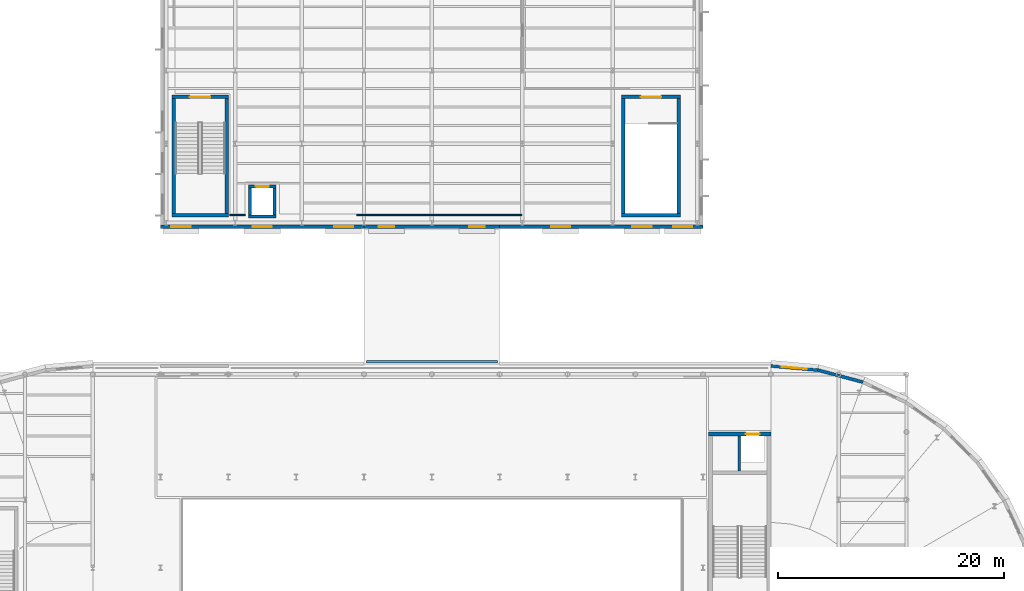
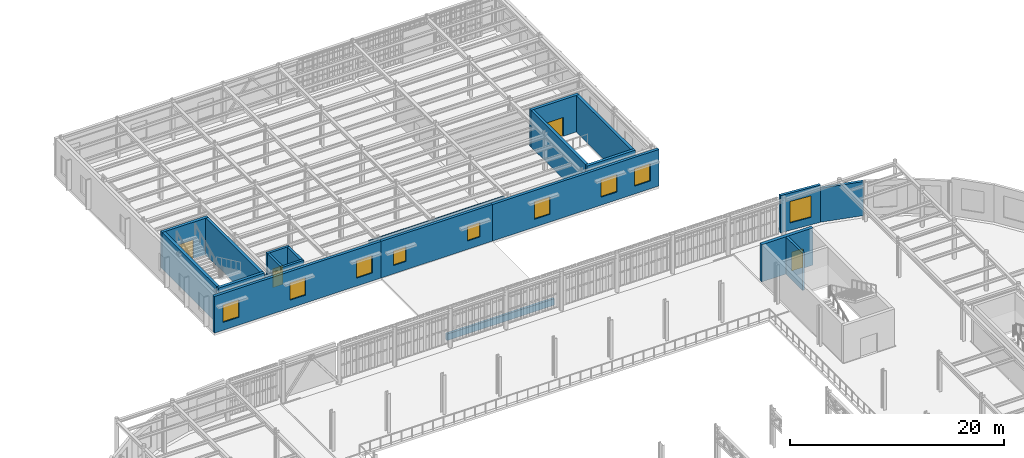
# One storey, part 68 of 91: 22 walls, 9 windows, 4 doors, 13 openings.
"""IFC4 building model written with IfcOpenShell, lengths in metres."""

from ifc_helpers import new_model, si_unit, direction, frame, frame_2d, origin, place, context, subcontext, project, spatial, rectangle, extrude, material, layer, layer_set, type_object, element, fill, save


model = new_model("IFC4")

# Units and contexts
model_context = context("Model", 3, precision=1e-05, world=origin(), true_north=direction((0.0, 1.0)))
body_context = subcontext(model_context, "Body", "Model", "MODEL_VIEW")
ifc_project = project(units=[si_unit("LENGTHUNIT", "METRE"), si_unit("AREAUNIT", "SQUARE_METRE"), si_unit("VOLUMEUNIT", "CUBIC_METRE"), si_unit("PLANEANGLEUNIT", "RADIAN"), si_unit("MASSUNIT", "GRAM", prefix="KILO")], contexts=[model_context])

# Site, building, storey
site_placement = place(None, origin())
site = spatial("IfcSite", under=ifc_project, at=site_placement, CompositionType="ELEMENT")
building_placement = place(site_placement, origin())
building = spatial("IfcBuilding", under=site, at=building_placement, Name="Kolvaren Corner Interchange", CompositionType="ELEMENT")
storey_placement = place(building_placement, frame((0.0, 0.0, 6.0)))
storey = spatial("IfcBuildingStorey", under=building, at=storey_placement, Name="L02", CompositionType="ELEMENT", Elevation=6.0)

# Wall, opening, door
ifc_material_1 = material(Name="Concrete C35/45", Category="concrete")
ifc_layer_1 = layer(ifc_material_1, 0.35009765625)
ifc_layer_set_1 = layer_set([ifc_layer_1], Name="Concrete C35/45")
wall_type_1 = type_object("IfcWallType", Name="WL-CORE-350", PredefinedType="SHEAR", material=ifc_layer_set_1)
wall_1_placement = place(storey_placement, frame((114.5, 65.824951171875, 0.0), z_axis=(0.0, 0.0, 1.0), x_axis=(1.0, 0.0, 0.0)))
wall_1 = element("IfcWall", 1, at=wall_1_placement, inside=storey, type_object=wall_type_1, Name="Core C4 L02 North Shear Wall", PredefinedType="SHEAR", context=body_context, shape_type="SweptSolid", body=[
    extrude(rectangle(XDim=5.5, YDim=0.35009765625, at=frame_2d((2.75, 0.0))), origin(), (0.0, 0.0, 1.0), 4.25),
])
opening_1_placement = place(wall_1_placement, frame((3.2900390625, 0.0, 0.0)))
opening_1 = element("IfcOpeningElement", 2, at=opening_1_placement, cuts=wall_1, Name="Opening LD-LF-P2-L02", PredefinedType="OPENING", context=body_context, shape_type="SweptSolid", body=[
    extrude(rectangle(XDim=1.219970703125, YDim=2.14990234375, at=frame_2d((0.60986328125, 1.074951171875))), frame((0.0, 0.18505859375, 0.0), z_axis=(0.0, -1.0, 0.0), x_axis=(1.0, 0.0, 0.0)), (0.0, 0.0, 1.0), 0.3701171875),
])
ifc_material_2 = material(Name="Brushed Stainless Steel Landing Door", Category="steel")
door_type_1 = type_object("IfcDoorType", Name="DT-LIFT-1220", OperationType="NOTDEFINED", PredefinedType="DOOR", material=ifc_material_2)
door_1_placement = place(opening_1_placement, origin())
door_1 = element("IfcDoor", 3, at=door_1_placement, inside=storey, type_object=door_type_1, Name="Passenger Lift LF P2 L02 Sliding Landing Door", OperationType="DOUBLE_DOOR_SLIDING", OverallHeight=2.14990234375, OverallWidth=1.219970703125, PredefinedType="DOOR", context=body_context, shape_type="SweptSolid", body=[
    extrude(rectangle(XDim=1.219970703125, YDim=2.14990234375, at=frame_2d((0.60986328125, 1.074951171875))), frame((0.0, 0.02490234375, 0.0), z_axis=(0.0, -1.0, 0.0), x_axis=(1.0, 0.0, 0.0)), (0.0, 0.0, 1.0), 0.050048828125),
])
fill(opening_1, door_1)

# Wall
ifc_material_3 = material(Name="Concrete C35/45", Category="concrete")
ifc_layer_2 = layer(ifc_material_3, 0.31005859375)
ifc_layer_set_2 = layer_set([ifc_layer_2], Name="Concrete C35/45")
wall_type_2 = type_object("IfcWallType", Name="WL-STAIR-300", PredefinedType="SHEAR", material=ifc_layer_set_2)
wall_2_placement = place(storey_placement, frame((67.0, 85.155029296875, 0.0), z_axis=(0.0, 0.0, 1.0), x_axis=(1.0, 0.0, 0.0)))
element("IfcWall", 4, at=wall_2_placement, inside=storey, type_object=wall_type_2, Name="Cycle Hub West Pavilion Exit Stair L02 South Enclosure Wall", PredefinedType="SHEAR", context=body_context, shape_type="SweptSolid", body=[
    extrude(rectangle(XDim=5.0, YDim=0.31005859375, at=frame_2d((2.5, 0.0))), origin(), (0.0, 0.0, 1.0), 4.179931640625),
])

# Wall, opening, door
wall_3_placement = place(storey_placement, frame((67.0, 95.64501953125, 0.0), z_axis=(0.0, 0.0, 1.0), x_axis=(1.0, 0.0, 0.0)))
wall_3 = element("IfcWall", 5, at=wall_3_placement, inside=storey, type_object=wall_type_2, Name="Cycle Hub West Pavilion Exit Stair L02 North Enclosure Wall", PredefinedType="SHEAR", context=body_context, shape_type="SweptSolid", body=[
    extrude(rectangle(XDim=5.0, YDim=0.31005859375, at=frame_2d((2.5, 0.0))), origin(), (0.0, 0.0, 1.0), 4.179931640625),
])
opening_2_placement = place(wall_3_placement, frame((1.60009765625, 0.0, 0.0)))
opening_2 = element("IfcOpeningElement", 6, at=opening_2_placement, cuts=wall_3, Name="Opening D-F01", PredefinedType="OPENING", context=body_context, shape_type="SweptSolid", body=[
    extrude(rectangle(XDim=1.800048828125, YDim=2.14990234375, at=frame_2d((0.89990234375, 1.074951171875))), frame((0.0, 0.1650390625, 0.0), z_axis=(0.0, -1.0, 0.0), x_axis=(1.0, 0.0, 0.0)), (0.0, 0.0, 1.0), 0.330078125),
])
ifc_material_4 = material(Name="Powder-coated Fire-rated Steel Sheet", Category="steel")
door_type_2 = type_object("IfcDoorType", Name="DT-FD-1800x2150", OperationType="NOTDEFINED", PredefinedType="DOOR", material=ifc_material_4)
door_2_placement = place(opening_2_placement, origin())
door_2 = element("IfcDoor", 7, at=door_2_placement, inside=storey, type_object=door_type_2, Name="Cycle Hub West Pavilion Exit Stair L02 Protected Exit Door", OperationType="DOUBLE_DOOR_SINGLE_SWING", OverallHeight=2.14990234375, OverallWidth=1.800048828125, PredefinedType="DOOR", context=body_context, shape_type="SweptSolid", body=[
    extrude(rectangle(XDim=1.800048828125, YDim=2.14990234375, at=frame_2d((0.89990234375, 1.074951171875))), frame((0.0, 0.02490234375, 0.0), z_axis=(0.0, -1.0, 0.0), x_axis=(1.0, 0.0, 0.0)), (0.0, 0.0, 1.0), 0.050048828125),
])
fill(opening_2, door_2)

# Walls
for number, where, z_axis, x_axis, name in (
    (8, (67.155029296875, 85.31005859375, 0.0), (0.0, 0.0, 1.0), (0.0, 1.0, 0.0), "Cycle Hub West Pavilion Exit Stair L02 West Enclosure Wall"),
    (9, (71.844970703125, 85.31005859375, 0.0), (0.0, 0.0, 1.0), (0.0, 1.0, 0.0), "Cycle Hub West Pavilion Exit Stair L02 East Enclosure Wall"),
):
    element("IfcWall", number, at=place(storey_placement, frame(where, z_axis=z_axis, x_axis=x_axis)), inside=storey, type_object=wall_type_2, Name=name, PredefinedType="SHEAR", context=body_context, shape_type="SweptSolid", body=[
        extrude(rectangle(XDim=10.179931640625, YDim=0.31005859375, at=frame_2d((5.08984375, 0.0))), origin(), (0.0, 0.0, 1.0), 4.179931640625),
    ])
wall_4_placement = place(storey_placement, frame((106.800048828125, 85.155029296875, 0.0), z_axis=(0.0, 0.0, 1.0), x_axis=(1.0, 0.0, 0.0)))
element("IfcWall", 10, at=wall_4_placement, inside=storey, type_object=wall_type_2, Name="Cycle Hub East Mezzanine Exit Stair L02 South Enclosure Wall", PredefinedType="SHEAR", context=body_context, shape_type="SweptSolid", body=[
    extrude(rectangle(XDim=5.199951171875, YDim=0.31005859375, at=frame_2d((2.60009765625, 0.0))), origin(), (0.0, 0.0, 1.0), 4.179931640625),
])

# Wall, opening, door
wall_5_placement = place(storey_placement, frame((106.800048828125, 95.64501953125, 0.0), z_axis=(0.0, 0.0, 1.0), x_axis=(1.0, 0.0, 0.0)))
wall_5 = element("IfcWall", 11, at=wall_5_placement, inside=storey, type_object=wall_type_2, Name="Cycle Hub East Mezzanine Exit Stair L02 North Enclosure Wall", PredefinedType="SHEAR", context=body_context, shape_type="SweptSolid", body=[
    extrude(rectangle(XDim=5.199951171875, YDim=0.31005859375, at=frame_2d((2.60009765625, 0.0))), origin(), (0.0, 0.0, 1.0), 4.179931640625),
])
opening_3_placement = place(wall_5_placement, frame((1.699951171875, 0.0, 0.0)))
opening_3 = element("IfcOpeningElement", 12, at=opening_3_placement, cuts=wall_5, Name="Opening D-F01", PredefinedType="OPENING", context=body_context, shape_type="SweptSolid", body=[
    extrude(rectangle(XDim=1.800048828125, YDim=2.14990234375, at=frame_2d((0.89990234375, 1.074951171875))), frame((0.0, 0.1650390625, 0.0), z_axis=(0.0, -1.0, 0.0), x_axis=(1.0, 0.0, 0.0)), (0.0, 0.0, 1.0), 0.330078125),
])
door_3_placement = place(opening_3_placement, origin())
door_3 = element("IfcDoor", 13, at=door_3_placement, inside=storey, type_object=door_type_2, Name="Cycle Hub East Mezzanine Exit Stair L02 Protected Exit Door", OperationType="DOUBLE_DOOR_SINGLE_SWING", OverallHeight=2.14990234375, OverallWidth=1.800048828125, PredefinedType="DOOR", context=body_context, shape_type="SweptSolid", body=[
    extrude(rectangle(XDim=1.800048828125, YDim=2.14990234375, at=frame_2d((0.89990234375, 1.074951171875))), frame((0.0, 0.02490234375, 0.0), z_axis=(0.0, -1.0, 0.0), x_axis=(1.0, 0.0, 0.0)), (0.0, 0.0, 1.0), 0.050048828125),
])
fill(opening_3, door_3)

# Walls
for number, where, z_axis, x_axis, name in (
    (14, (106.955078125, 85.31005859375, 0.0), (0.0, 0.0, 1.0), (0.0, 1.0, 0.0), "Cycle Hub East Mezzanine Exit Stair L02 West Enclosure Wall"),
    (15, (111.844970703125, 85.31005859375, 0.0), (0.0, 0.0, 1.0), (0.0, 1.0, 0.0), "Cycle Hub East Mezzanine Exit Stair L02 East Enclosure Wall"),
):
    element("IfcWall", number, at=place(storey_placement, frame(where, z_axis=z_axis, x_axis=x_axis)), inside=storey, type_object=wall_type_2, Name=name, PredefinedType="SHEAR", context=body_context, shape_type="SweptSolid", body=[
        extrude(rectangle(XDim=10.179931640625, YDim=0.31005859375, at=frame_2d((5.08984375, 0.0))), origin(), (0.0, 0.0, 1.0), 4.179931640625),
    ])

# Wall, openings, windows
ifc_material_5 = material(Name="Ochre Architectural Terracotta Rainscreen Assembly", Category="masonry")
ifc_layer_3 = layer(ifc_material_5, 0.300048828125)
ifc_layer_set_3 = layer_set([ifc_layer_3], Name="Ochre Architectural Terracotta Rainscreen Assembly")
wall_type_3 = type_object("IfcWallType", Name="WT-EXT-OCH300", PredefinedType="SOLIDWALL", material=ifc_layer_set_3)
wall_6_placement = place(storey_placement, frame((66.0, 84.159912109375, 0.0), z_axis=(0.0, 0.0, 1.0), x_axis=(1.0, 0.0, 0.0)))
wall_6 = element("IfcWall", 16, at=wall_6_placement, inside=storey, type_object=wall_type_3, Name="Cycle Hub South West Facade Wall 0175", PredefinedType="SOLIDWALL", context=body_context, shape_type="SweptSolid", body=[
    extrude(rectangle(XDim=18.0, YDim=0.300048828125, at=frame_2d((9.0, 0.0))), origin(), (0.0, 0.0, 1.0), 4.179931640625),
])
opening_4_placement = place(wall_6_placement, frame((0.949951171875, 0.0, 0.89990234375)))
opening_4 = element("IfcOpeningElement", 17, at=opening_4_placement, cuts=wall_6, Name="Opening W-16", PredefinedType="OPENING", context=body_context, shape_type="SweptSolid", body=[
    extrude(rectangle(XDim=1.699951171875, YDim=2.0, at=frame_2d((0.85009765625, 1.0))), frame((0.0, 0.159912109375, 0.0), z_axis=(0.0, -1.0, 0.0), x_axis=(1.0, 0.0, 0.0)), (0.0, 0.0, 1.0), 0.320068359375),
])
opening_5_placement = place(wall_6_placement, frame((8.14990234375, 0.0, 0.89990234375)))
opening_5 = element("IfcOpeningElement", 18, at=opening_5_placement, cuts=wall_6, Name="Opening W-16", PredefinedType="OPENING", context=body_context, shape_type="SweptSolid", body=[
    extrude(rectangle(XDim=1.699951171875, YDim=2.0, at=frame_2d((0.85009765625, 1.0))), frame((0.0, 0.159912109375, 0.0), z_axis=(0.0, -1.0, 0.0), x_axis=(1.0, 0.0, 0.0)), (0.0, 0.0, 1.0), 0.320068359375),
])
opening_6_placement = place(wall_6_placement, frame((15.35009765625, 0.0, 0.89990234375)))
opening_6 = element("IfcOpeningElement", 19, at=opening_6_placement, cuts=wall_6, Name="Opening W-16", PredefinedType="OPENING", context=body_context, shape_type="SweptSolid", body=[
    extrude(rectangle(XDim=1.699951171875, YDim=2.0, at=frame_2d((0.85009765625, 1.0))), frame((0.0, 0.159912109375, 0.0), z_axis=(0.0, -1.0, 0.0), x_axis=(1.0, 0.0, 0.0)), (0.0, 0.0, 1.0), 0.320068359375),
])
ifc_material_6 = material(Name="Thermally Broken Aluminium and Solar-Control Double Glazing", Category="aluminium")
window_type_1 = type_object("IfcWindowType", Name="WT-CYC-1700x2000", PartitioningType="DOUBLE_PANEL_HORIZONTAL", PredefinedType="WINDOW", material=ifc_material_6)
window_1_placement = place(opening_4_placement, origin())
window_1 = element("IfcWindow", 20, at=window_1_placement, inside=storey, type_object=window_type_1, Name="L02 Cycle Hub South West Facade Window 0265", OverallHeight=2.0, OverallWidth=1.699951171875, PartitioningType="SINGLE_PANEL", PredefinedType="WINDOW", context=body_context, shape_type="SweptSolid", body=[
    extrude(rectangle(XDim=1.699951171875, YDim=2.0, at=frame_2d((0.85009765625, 1.0))), frame((0.0, 0.030029296875, 0.0), z_axis=(0.0, -1.0, 0.0), x_axis=(1.0, 0.0, 0.0)), (0.0, 0.0, 1.0), 0.06005859375),
])
fill(opening_4, window_1)
window_2_placement = place(opening_5_placement, origin())
window_2 = element("IfcWindow", 21, at=window_2_placement, inside=storey, type_object=window_type_1, Name="L02 Cycle Hub South West Facade Window 0266", OverallHeight=2.0, OverallWidth=1.699951171875, PartitioningType="SINGLE_PANEL", PredefinedType="WINDOW", context=body_context, shape_type="SweptSolid", body=[
    extrude(rectangle(XDim=1.699951171875, YDim=2.0, at=frame_2d((0.85009765625, 1.0))), frame((0.0, 0.030029296875, 0.0), z_axis=(0.0, -1.0, 0.0), x_axis=(1.0, 0.0, 0.0)), (0.0, 0.0, 1.0), 0.06005859375),
])
fill(opening_5, window_2)
window_3_placement = place(opening_6_placement, origin())
window_3 = element("IfcWindow", 22, at=window_3_placement, inside=storey, type_object=window_type_1, Name="L02 Cycle Hub South West Facade Window 0267", OverallHeight=2.0, OverallWidth=1.699951171875, PartitioningType="SINGLE_PANEL", PredefinedType="WINDOW", context=body_context, shape_type="SweptSolid", body=[
    extrude(rectangle(XDim=1.699951171875, YDim=2.0, at=frame_2d((0.85009765625, 1.0))), frame((0.0, 0.030029296875, 0.0), z_axis=(0.0, -1.0, 0.0), x_axis=(1.0, 0.0, 0.0)), (0.0, 0.0, 1.0), 0.06005859375),
])
fill(opening_6, window_3)

wall_7_placement = place(storey_placement, frame((96.0, 84.159912109375, 0.0), z_axis=(0.0, 0.0, 1.0), x_axis=(1.0, 0.0, 0.0)))
wall_7 = element("IfcWall", 23, at=wall_7_placement, inside=storey, type_object=wall_type_3, Name="Cycle Hub South East Facade Wall 0176", PredefinedType="SOLIDWALL", context=body_context, shape_type="SweptSolid", body=[
    extrude(rectangle(XDim=18.0, YDim=0.300048828125, at=frame_2d((9.0, 0.0))), origin(), (0.0, 0.0, 1.0), 4.179931640625),
])
opening_7_placement = place(wall_7_placement, frame((4.550048828125, 0.0, 0.89990234375)))
opening_7 = element("IfcOpeningElement", 24, at=opening_7_placement, cuts=wall_7, Name="Opening W-16", PredefinedType="OPENING", context=body_context, shape_type="SweptSolid", body=[
    extrude(rectangle(XDim=1.699951171875, YDim=2.0, at=frame_2d((0.85009765625, 1.0))), frame((0.0, 0.159912109375, 0.0), z_axis=(0.0, -1.0, 0.0), x_axis=(1.0, 0.0, 0.0)), (0.0, 0.0, 1.0), 0.320068359375),
])
opening_8_placement = place(wall_7_placement, frame((11.75, 0.0, 0.89990234375)))
opening_8 = element("IfcOpeningElement", 25, at=opening_8_placement, cuts=wall_7, Name="Opening W-16", PredefinedType="OPENING", context=body_context, shape_type="SweptSolid", body=[
    extrude(rectangle(XDim=1.699951171875, YDim=2.0, at=frame_2d((0.85009765625, 1.0))), frame((0.0, 0.159912109375, 0.0), z_axis=(0.0, -1.0, 0.0), x_axis=(1.0, 0.0, 0.0)), (0.0, 0.0, 1.0), 0.320068359375),
])
opening_9_placement = place(wall_7_placement, frame((15.35009765625, 0.0, 0.89990234375)))
opening_9 = element("IfcOpeningElement", 26, at=opening_9_placement, cuts=wall_7, Name="Opening W-16", PredefinedType="OPENING", context=body_context, shape_type="SweptSolid", body=[
    extrude(rectangle(XDim=1.699951171875, YDim=2.0, at=frame_2d((0.85009765625, 1.0))), frame((0.0, 0.159912109375, 0.0), z_axis=(0.0, -1.0, 0.0), x_axis=(1.0, 0.0, 0.0)), (0.0, 0.0, 1.0), 0.320068359375),
])
window_4_placement = place(opening_7_placement, origin())
window_4 = element("IfcWindow", 27, at=window_4_placement, inside=storey, type_object=window_type_1, Name="L02 Cycle Hub South East Facade Window 0268", OverallHeight=2.0, OverallWidth=1.699951171875, PartitioningType="SINGLE_PANEL", PredefinedType="WINDOW", context=body_context, shape_type="SweptSolid", body=[
    extrude(rectangle(XDim=1.699951171875, YDim=2.0, at=frame_2d((0.85009765625, 1.0))), frame((0.0, 0.030029296875, 0.0), z_axis=(0.0, -1.0, 0.0), x_axis=(1.0, 0.0, 0.0)), (0.0, 0.0, 1.0), 0.06005859375),
])
fill(opening_7, window_4)
window_5_placement = place(opening_8_placement, origin())
window_5 = element("IfcWindow", 28, at=window_5_placement, inside=storey, type_object=window_type_1, Name="L02 Cycle Hub South East Facade Window 0269", OverallHeight=2.0, OverallWidth=1.699951171875, PartitioningType="SINGLE_PANEL", PredefinedType="WINDOW", context=body_context, shape_type="SweptSolid", body=[
    extrude(rectangle(XDim=1.699951171875, YDim=2.0, at=frame_2d((0.85009765625, 1.0))), frame((0.0, 0.030029296875, 0.0), z_axis=(0.0, -1.0, 0.0), x_axis=(1.0, 0.0, 0.0)), (0.0, 0.0, 1.0), 0.06005859375),
])
fill(opening_8, window_5)
window_6_placement = place(opening_9_placement, origin())
window_6 = element("IfcWindow", 29, at=window_6_placement, inside=storey, type_object=window_type_1, Name="L02 Cycle Hub South East Facade Window 0270", OverallHeight=2.0, OverallWidth=1.699951171875, PartitioningType="SINGLE_PANEL", PredefinedType="WINDOW", context=body_context, shape_type="SweptSolid", body=[
    extrude(rectangle(XDim=1.699951171875, YDim=2.0, at=frame_2d((0.85009765625, 1.0))), frame((0.0, 0.030029296875, 0.0), z_axis=(0.0, -1.0, 0.0), x_axis=(1.0, 0.0, 0.0)), (0.0, 0.0, 1.0), 0.06005859375),
])
fill(opening_9, window_6)

wall_8_placement = place(storey_placement, frame((84.0, 84.159912109375, 0.0), z_axis=(0.0, 0.0, 1.0), x_axis=(1.0, 0.0, 0.0)))
wall_8 = element("IfcWall", 30, at=wall_8_placement, inside=storey, type_object=wall_type_3, Name="Cycle Mezzanine South Overlook Wall 0177", PredefinedType="SOLIDWALL", context=body_context, shape_type="SweptSolid", body=[
    extrude(rectangle(XDim=12.0, YDim=0.300048828125, at=frame_2d((6.0, 0.0))), origin(), (0.0, 0.0, 1.0), 4.179931640625),
])
opening_10_placement = place(wall_8_placement, frame((1.324951171875, 0.0, 0.949951171875)))
opening_10 = element("IfcOpeningElement", 31, at=opening_10_placement, cuts=wall_8, Name="Opening W-22", PredefinedType="OPENING", context=body_context, shape_type="SweptSolid", body=[
    extrude(rectangle(XDim=1.35009765625, YDim=1.64990234375, at=frame_2d((0.675048828125, 0.824951171875))), frame((0.0, 0.159912109375, 0.0), z_axis=(0.0, -1.0, 0.0), x_axis=(1.0, 0.0, 0.0)), (0.0, 0.0, 1.0), 0.320068359375),
])
opening_11_placement = place(wall_8_placement, frame((9.324951171875, 0.0, 0.949951171875)))
opening_11 = element("IfcOpeningElement", 32, at=opening_11_placement, cuts=wall_8, Name="Opening W-22", PredefinedType="OPENING", context=body_context, shape_type="SweptSolid", body=[
    extrude(rectangle(XDim=1.35009765625, YDim=1.64990234375, at=frame_2d((0.675048828125, 0.824951171875))), frame((0.0, 0.159912109375, 0.0), z_axis=(0.0, -1.0, 0.0), x_axis=(1.0, 0.0, 0.0)), (0.0, 0.0, 1.0), 0.320068359375),
])
ifc_material_7 = material(Name="Thermally Broken Aluminium and Solar-Control Double Glazing", Category="aluminium")
window_type_2 = type_object("IfcWindowType", Name="WT-CYC-1350x1650", PartitioningType="SINGLE_PANEL", PredefinedType="WINDOW", material=ifc_material_7)
window_7_placement = place(opening_10_placement, origin())
window_7 = element("IfcWindow", 33, at=window_7_placement, inside=storey, type_object=window_type_2, Name="L02 Cycle Mezzanine South Overlook Window 0271", OverallHeight=1.64990234375, OverallWidth=1.35009765625, PartitioningType="SINGLE_PANEL", PredefinedType="WINDOW", context=body_context, shape_type="SweptSolid", body=[
    extrude(rectangle(XDim=1.35009765625, YDim=1.64990234375, at=frame_2d((0.675048828125, 0.824951171875))), frame((0.0, 0.030029296875, 0.0), z_axis=(0.0, -1.0, 0.0), x_axis=(1.0, 0.0, 0.0)), (0.0, 0.0, 1.0), 0.06005859375),
])
fill(opening_10, window_7)
window_8_placement = place(opening_11_placement, origin())
window_8 = element("IfcWindow", 34, at=window_8_placement, inside=storey, type_object=window_type_2, Name="L02 Cycle Mezzanine South Overlook Window 0272", OverallHeight=1.64990234375, OverallWidth=1.35009765625, PartitioningType="SINGLE_PANEL", PredefinedType="WINDOW", context=body_context, shape_type="SweptSolid", body=[
    extrude(rectangle(XDim=1.35009765625, YDim=1.64990234375, at=frame_2d((0.675048828125, 0.824951171875))), frame((0.0, 0.030029296875, 0.0), z_axis=(0.0, -1.0, 0.0), x_axis=(1.0, 0.0, 0.0)), (0.0, 0.0, 1.0), 0.06005859375),
])
fill(opening_11, window_8)

# Wall
ifc_material_8 = material(Name="White Glazed Ceramic Terracotta Band Assembly", Category="masonry")
ifc_layer_4 = layer(ifc_material_8, 0.280029296875)
ifc_layer_set_4 = layer_set([ifc_layer_4], Name="White Glazed Ceramic Terracotta Band Assembly")
wall_type_4 = type_object("IfcWallType", Name="WT-EXT-WHT280", PredefinedType="SOLIDWALL", material=ifc_layer_set_4)
wall_9_placement = place(storey_placement, frame((128.15380859375, 70.40234375, 0.0), z_axis=(0.0, 0.0, 1.0), x_axis=(-0.965931006096, 0.258799713026, 0.0)))
element("IfcWall", 35, at=wall_9_placement, inside=storey, type_object=wall_type_4, Name="Racetrack East Curved Drum Chord 17 Wall 0129", PredefinedType="SOLIDWALL", context=body_context, shape_type="SweptSolid", body=[
    extrude(rectangle(XDim=4.155517578125, YDim=0.280029296875, at=frame_2d((2.07763671875, 0.0))), origin(), (0.0, 0.0, 1.0), 3.885009765625),
])

# Wall, opening, window
wall_10_placement = place(storey_placement, frame((124.139892578125, 71.477783203125, 0.0), z_axis=(0.0, 0.0, 1.0), x_axis=(-0.99619237826, 0.087182254487, 0.0)))
wall_10 = element("IfcWall", 36, at=wall_10_placement, inside=storey, type_object=wall_type_4, Name="Racetrack East Curved Drum Chord 18 Wall 0130", PredefinedType="SOLIDWALL", context=body_context, shape_type="SweptSolid", body=[
    extrude(rectangle(XDim=4.15576171875, YDim=0.280029296875, at=frame_2d((2.077880859375, 0.0))), origin(), (0.0, 0.0, 1.0), 4.25),
])
opening_12_placement = place(wall_10_placement, frame((0.977783203125, 0.0, 0.85009765625)))
opening_12 = element("IfcOpeningElement", 37, at=opening_12_placement, cuts=wall_10, Name="Opening W-04", PredefinedType="OPENING", context=body_context, shape_type="SweptSolid", body=[
    extrude(rectangle(XDim=2.199951171875, YDim=2.449951171875, at=frame_2d((1.10009765625, 1.22509765625))), frame((0.0, 0.14990234375, 0.0), z_axis=(0.0, -1.0, 0.0), x_axis=(1.0, 0.0, 0.0)), (0.0, 0.0, 1.0), 0.300048828125),
])
ifc_material_9 = material(Name="Thermally Broken Aluminium and Solar-Control Double Glazing", Category="aluminium")
window_type_3 = type_object("IfcWindowType", Name="WT-ARC-2200x2450", PartitioningType="DOUBLE_PANEL_VERTICAL", PredefinedType="WINDOW", material=ifc_material_9)
window_9_placement = place(opening_12_placement, origin())
window_9 = element("IfcWindow", 38, at=window_9_placement, inside=storey, type_object=window_type_3, Name="L02 Racetrack East Curved Drum Chord 18 Window 0195", OverallHeight=2.449951171875, OverallWidth=2.199951171875, PartitioningType="SINGLE_PANEL", PredefinedType="WINDOW", context=body_context, shape_type="SweptSolid", body=[
    extrude(rectangle(XDim=2.199951171875, YDim=2.449951171875, at=frame_2d((1.10009765625, 1.22509765625))), frame((0.0, 0.030029296875, 0.0), z_axis=(0.0, -1.0, 0.0), x_axis=(1.0, 0.0, 0.0)), (0.0, 0.0, 1.0), 0.06005859375),
])
fill(opening_12, window_9)

# Walls
ifc_material_10 = material(Name="Cream Architectural Terracotta Parapet Wall", Category="masonry")
ifc_layer_5 = layer(ifc_material_10, 0.239990234375)
ifc_layer_set_5 = layer_set([ifc_layer_5], Name="Cream Architectural Terracotta Parapet Wall")
wall_type_5 = type_object("IfcWallType", Name="WT-PAR-240", PredefinedType="PARAPET", material=ifc_layer_set_5)
wall_11_placement = place(storey_placement, frame((84.199951171875, 72.199951171875, 0.0), z_axis=(0.0, 0.0, 1.0), x_axis=(1.0, 0.0, 0.0)))
element("IfcWall", 39, at=wall_11_placement, inside=storey, type_object=wall_type_5, Name="Cycle Link Roof Parapet Wall 0185", PredefinedType="PARAPET", context=body_context, shape_type="SweptSolid", body=[
    extrude(rectangle(XDim=11.60009765625, YDim=0.239990234375, at=frame_2d((5.800048828125, 0.0))), origin(), (0.0, 0.0, 1.0), 0.75),
])
ifc_material_11 = material(Name="Standard Metal-Stud Drywall Partition")
ifc_layer_6 = layer(ifc_material_11, 0.1201171875)
ifc_layer_set_6 = layer_set([ifc_layer_6], Name="Standard Metal-Stud Drywall Partition")
wall_type_6 = type_object("IfcWallType", Name="WT-PART-ST125", PredefinedType="PARTITIONING", material=ifc_layer_set_6)
wall_12_placement = place(storey_placement, frame((72.10009765625, 85.199951171875, 0.0), z_axis=(0.0, 0.0, 1.0), x_axis=(1.0, 0.0, 0.0)))
element("IfcWall", 40, at=wall_12_placement, inside=storey, type_object=wall_type_6, Name="L02 Upper Cycle Storage Mezzanine Partition Wall 086", PredefinedType="PARTITIONING", context=body_context, shape_type="SweptSolid", body=[
    extrude(rectangle(XDim=1.39990234375, YDim=0.1201171875, at=frame_2d((0.699951171875, 0.0))), origin(), (0.0, 0.0, 1.0), 3.77490234375),
])
wall_13_placement = place(storey_placement, frame((83.35009765625, 85.199951171875, 0.0), z_axis=(0.0, 0.0, 1.0), x_axis=(1.0, 0.0, 0.0)))
element("IfcWall", 41, at=wall_13_placement, inside=storey, type_object=wall_type_6, Name="L02 Upper Cycle Storage Mezzanine Partition Wall 087", PredefinedType="PARTITIONING", context=body_context, shape_type="SweptSolid", body=[
    extrude(rectangle(XDim=14.599853515625, YDim=0.1201171875, at=frame_2d((7.2998046875, 0.0))), origin(), (0.0, 0.0, 1.0), 3.77490234375),
])
ifc_material_12 = material(Name="Concrete C35/45", Category="concrete")
ifc_layer_7 = layer(ifc_material_12, 0.25)
ifc_layer_set_7 = layer_set([ifc_layer_7], Name="Concrete C35/45")
wall_type_7 = type_object("IfcWallType", Name="WT-SHAFT-RC250", PredefinedType="SHEAR", material=ifc_layer_set_7)
wall_14_placement = place(storey_placement, frame((117.199951171875, 62.554931640625, 0.0), z_axis=(0.0, 0.0, 1.0), x_axis=(0.0, 1.0, 0.0)))
element("IfcWall", 42, at=wall_14_placement, inside=storey, type_object=wall_type_7, Name="Core L02 C4 Passenger Lift Side Wall", PredefinedType="SHEAR", context=body_context, shape_type="SweptSolid", body=[
    extrude(rectangle(XDim=3.094970703125, YDim=0.25, at=frame_2d((1.54736328125, 0.0))), origin(), (0.0, 0.0, 1.0), 4.25),
])
wall_15_placement = place(storey_placement, frame((73.800048828125, 85.074951171875, 0.0), z_axis=(0.0, 0.0, 1.0), x_axis=(1.0, 0.0, 0.0)))
element("IfcWall", 43, at=wall_15_placement, inside=storey, type_object=wall_type_7, Name="Cycle Lift L02 South Shaft Wall", PredefinedType="SHEAR", context=body_context, shape_type="SweptSolid", body=[
    extrude(rectangle(XDim=2.39990234375, YDim=0.25, at=frame_2d((1.199951171875, 0.0))), origin(), (0.0, 0.0, 1.0), 4.179931640625),
])

# Wall, opening, door
wall_16_placement = place(storey_placement, frame((73.800048828125, 87.72509765625, 0.0), z_axis=(0.0, 0.0, 1.0), x_axis=(1.0, 0.0, 0.0)))
wall_16 = element("IfcWall", 44, at=wall_16_placement, inside=storey, type_object=wall_type_7, Name="Cycle Lift L02 North Shaft Wall", PredefinedType="SHEAR", context=body_context, shape_type="SweptSolid", body=[
    extrude(rectangle(XDim=2.39990234375, YDim=0.25, at=frame_2d((1.199951171875, 0.0))), origin(), (0.0, 0.0, 1.0), 4.179931640625),
])
opening_13_placement = place(wall_16_placement, frame((0.639892578125, 0.0, 0.0)))
opening_13 = element("IfcOpeningElement", 45, at=opening_13_placement, cuts=wall_16, Name="Opening LD-LF-P4-L02", PredefinedType="OPENING", context=body_context, shape_type="SweptSolid", body=[
    extrude(rectangle(XDim=1.1201171875, YDim=2.14990234375, at=frame_2d((0.56005859375, 1.074951171875))), frame((0.0, 0.135009765625, 0.0), z_axis=(0.0, -1.0, 0.0), x_axis=(1.0, 0.0, 0.0)), (0.0, 0.0, 1.0), 0.27001953125),
])
ifc_material_13 = material(Name="Brushed Stainless Steel Landing Door", Category="steel")
door_type_3 = type_object("IfcDoorType", Name="DT-LIFT-1120", OperationType="NOTDEFINED", PredefinedType="DOOR", material=ifc_material_13)
door_4_placement = place(opening_13_placement, origin())
door_4 = element("IfcDoor", 46, at=door_4_placement, inside=storey, type_object=door_type_3, Name="Cycle Hub Lift LF P4 L02 Sliding Landing Door", OperationType="SLIDING_TO_LEFT", OverallHeight=2.14990234375, OverallWidth=1.1201171875, PredefinedType="DOOR", context=body_context, shape_type="SweptSolid", body=[
    extrude(rectangle(XDim=1.1201171875, YDim=2.14990234375, at=frame_2d((0.56005859375, 1.074951171875))), frame((0.0, 0.02490234375, 0.0), z_axis=(0.0, -1.0, 0.0), x_axis=(1.0, 0.0, 0.0)), (0.0, 0.0, 1.0), 0.050048828125),
])
fill(opening_13, door_4)

# Walls
for number, where, z_axis, x_axis, name in (
    (47, (73.925048828125, 85.199951171875, 0.0), (0.0, 0.0, 1.0), (0.0, 1.0, 0.0), "Cycle Lift L02 West Shaft Wall"),
    (48, (76.074951171875, 85.199951171875, 0.0), (0.0, 0.0, 1.0), (0.0, 1.0, 0.0), "Cycle Lift L02 East Shaft Wall"),
):
    element("IfcWall", number, at=place(storey_placement, frame(where, z_axis=z_axis, x_axis=x_axis)), inside=storey, type_object=wall_type_7, Name=name, PredefinedType="SHEAR", context=body_context, shape_type="SweptSolid", body=[
        extrude(rectangle(XDim=2.400146484375, YDim=0.25, at=frame_2d((1.2001953125, 0.0))), origin(), (0.0, 0.0, 1.0), 4.179931640625),
    ])

save(model, "model.ifc")
